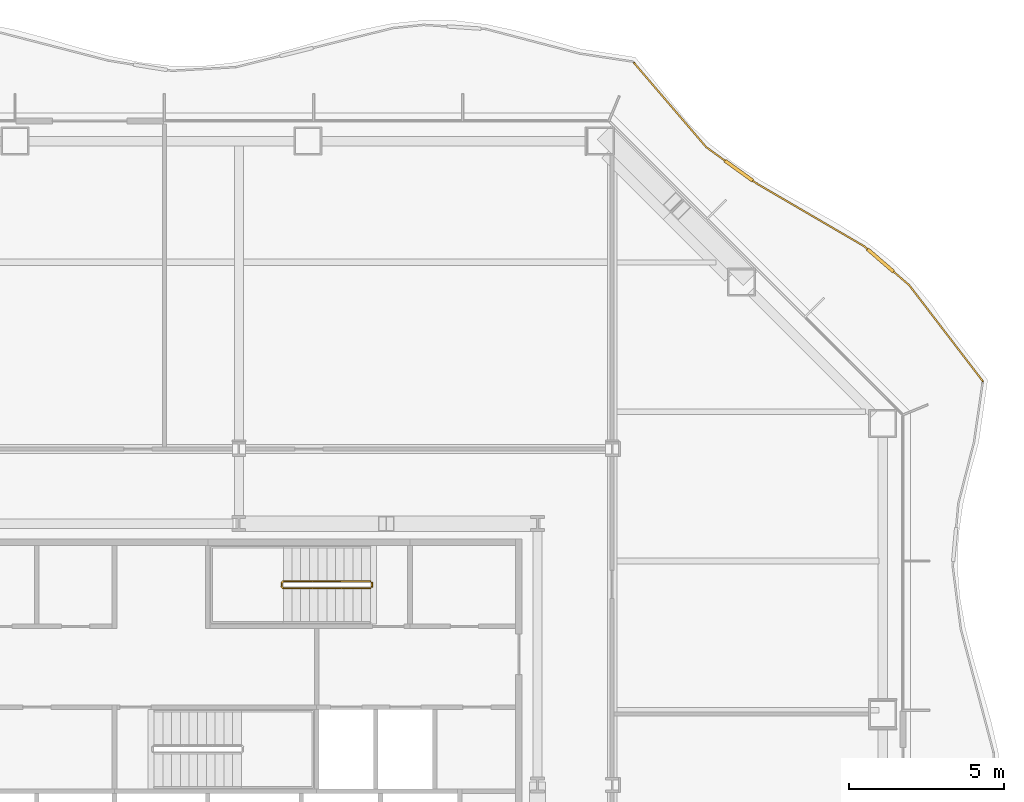
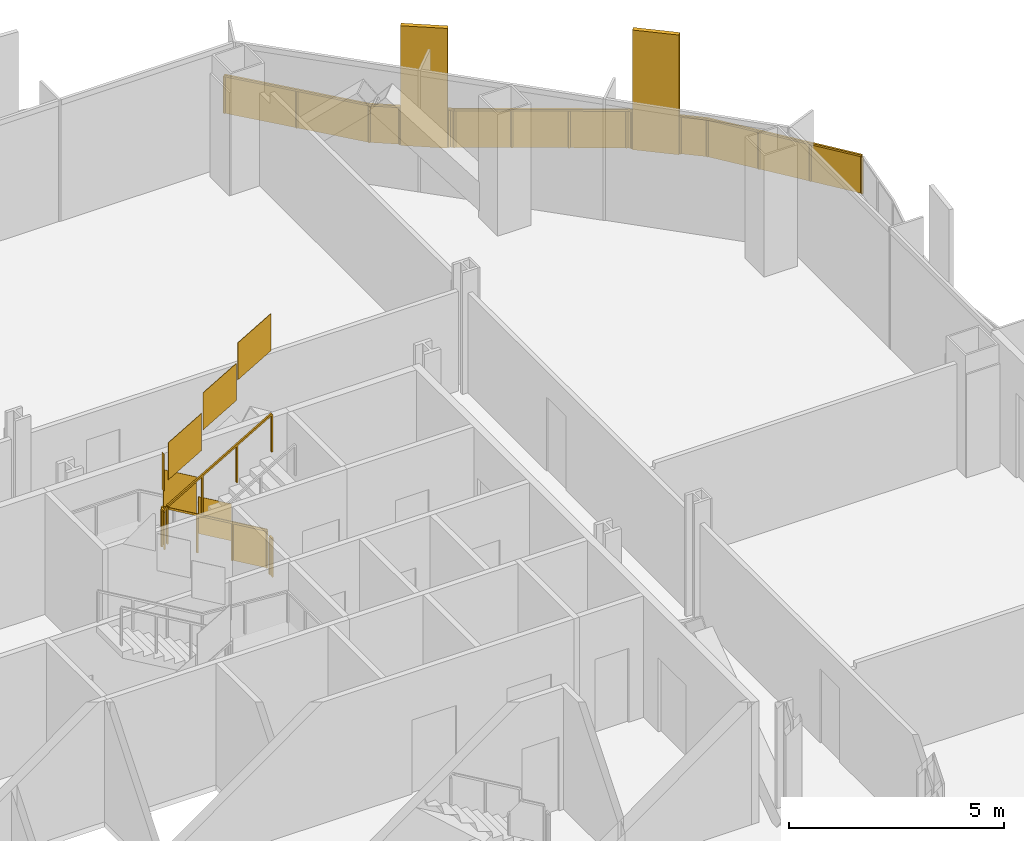
# One storey, part 18 of 18: 3 railings.
"""IFC4 building model written with IfcOpenShell, lengths in metres."""

from ifc_helpers import new_model, si_unit, direction, frame, origin, origin_2d, place, context, subcontext, project, spatial, polyline, rectangle, outline, extrude, material, type_object, element, save


model = new_model("IFC4")

# Units and contexts
model_context = context("Model", 3, precision=1e-05, world=origin(), true_north=direction((0.0, 1.0)))
body_context = subcontext(model_context, "Body", "Model", "MODEL_VIEW")
ifc_project = project(units=[si_unit("LENGTHUNIT", "METRE"), si_unit("AREAUNIT", "SQUARE_METRE"), si_unit("VOLUMEUNIT", "CUBIC_METRE"), si_unit("PLANEANGLEUNIT", "RADIAN"), si_unit("MASSUNIT", "GRAM", prefix="KILO")], contexts=[model_context])

# Site, building, storey
site_placement = place(None, origin())
site = spatial("IfcSite", under=ifc_project, at=site_placement, CompositionType="ELEMENT")
building_placement = place(site_placement, origin())
building = spatial("IfcBuilding", under=site, at=building_placement, Name="Cairn Pilgrim Tower", CompositionType="ELEMENT")
storey_placement = place(building_placement, frame((0.0, 0.0, 72.60009765625)))
storey = spatial("IfcBuildingStorey", under=building, at=storey_placement, Name="L16", CompositionType="ELEMENT", Elevation=72.60009765625)

# Railings
ifc_material_1 = material(Name="Bronze anodised aluminium rail, posts and fin screens with laminated glass infill", Category="aluminium")
railing_type_1 = type_object("IfcRailingType", Name="BALCONY GUARD WITH FIN SCREENS", PredefinedType="GUARDRAIL", material=ifc_material_1)
railing_1_placement = place(storey_placement, frame((31.11767578125, 15.384033203125, 0.0)))
element("IfcRailing", 1, at=railing_1_placement, inside=storey, type_object=railing_type_1, Name="Balcony guard BGF-4 with fin screens", PredefinedType="GUARDRAIL", context=body_context, shape_type="SweptSolid", body=[
    extrude(rectangle(XDim=0.050048828125, YDim=0.050048828125, at=origin_2d()), frame((0.0, 0.0, 1.0751953125), z_axis=(-0.608521134207, 0.793537667174, 0.0), x_axis=(-0.793537667174, -0.608521134207, 0.0)), (0.0, 0.0, 1.0), 3.89013671875),
    extrude(rectangle(XDim=1.10009765625, YDim=0.110107421875, at=origin_2d()), frame((-3.287109375, 3.88134765625, 0.0), z_axis=(0.0, 0.0, 1.0), x_axis=(-0.756840202902, 0.653599959663, 0.0)), (0.0, 0.0, 1.0), 3.39990234375),
    extrude(rectangle(XDim=0.050048828125, YDim=0.050048828125, at=origin_2d()), frame((-2.3671875, 3.0869140625, 1.0751953125), z_axis=(-0.756840202902, 0.653599959663, 0.0), x_axis=(-0.653599959663, -0.756840202902, 0.0)), (0.0, 0.0, 1.0), 0.66552734375),
    extrude(rectangle(XDim=0.050048828125, YDim=0.050048828125, at=origin_2d()), frame((-3.703369140625, 4.240966796875, 1.0751953125), z_axis=(-0.756840202902, 0.653599959663, 0.0), x_axis=(-0.653599959663, -0.756840202902, 0.0)), (0.0, 0.0, 1.0), 0.14990234375),
    extrude(rectangle(XDim=0.050048828125, YDim=0.050048828125, at=origin_2d()), frame((-3.81689453125, 4.3388671875, 1.0751953125), z_axis=(-0.863686011259, 0.504030231193, 0.0), x_axis=(-0.504030231193, -0.863686011259, 0.0)), (0.0, 0.0, 1.0), 4.00439453125),
    extrude(rectangle(XDim=1.10009765625, YDim=0.110107421875, at=origin_2d()), frame((-7.84326171875, 6.7666015625, 0.0), z_axis=(0.0, 0.0, 1.0), x_axis=(-0.811180439671, 0.58479594244, 0.0)), (0.0, 0.0, 1.0), 3.39990234375),
    extrude(rectangle(XDim=0.050048828125, YDim=0.050048828125, at=origin_2d()), frame((-7.275390625, 6.357177734375, 1.0751953125), z_axis=(-0.811180439671, 0.58479594244, 0.0), x_axis=(-0.58479594244, -0.811180439671, 0.0)), (0.0, 0.0, 1.0), 0.14990234375),
    extrude(rectangle(XDim=0.050048828125, YDim=0.050048828125, at=origin_2d()), frame((-8.289306640625, 7.088134765625, 1.0751953125), z_axis=(-0.811180439671, 0.58479594244, 0.0), x_axis=(-0.58479594244, -0.811180439671, 0.0)), (0.0, 0.0, 1.0), 0.73974609375),
    extrude(rectangle(XDim=0.050048828125, YDim=0.050048828125, at=origin_2d()), frame((-8.889404296875, 7.520751953125, 1.0751953125), z_axis=(-0.650966088441, 0.759106811786, 0.0), x_axis=(-0.759106811786, -0.650966088441, 0.0)), (0.0, 0.0, 1.0), 3.567138671875),
    extrude(rectangle(XDim=0.050048828125, YDim=0.050048828125, at=origin_2d()), origin(), (0.0, 0.0, 1.0), 1.050048828125),
    extrude(rectangle(XDim=0.050048828125, YDim=0.050048828125, at=origin_2d()), frame((-0.7890625, 1.029052734375, 0.0)), (0.0, 0.0, 1.0), 1.050048828125),
    extrude(rectangle(XDim=0.050048828125, YDim=0.050048828125, at=origin_2d()), frame((-1.578125, 2.057861328125, 0.0)), (0.0, 0.0, 1.0), 1.050048828125),
    extrude(rectangle(XDim=0.050048828125, YDim=0.050048828125, at=origin_2d()), frame((-2.3671875, 3.0869140625, 0.0)), (0.0, 0.0, 1.0), 1.050048828125),
    extrude(rectangle(XDim=0.050048828125, YDim=0.050048828125, at=origin_2d()), frame((-2.85205078125, 3.505615234375, 0.0)), (0.0, 0.0, 1.0), 1.050048828125),
    extrude(rectangle(XDim=0.050048828125, YDim=0.050048828125, at=origin_2d()), frame((-3.722412109375, 4.25732421875, 0.0)), (0.0, 0.0, 1.0), 1.050048828125),
    extrude(rectangle(XDim=0.050048828125, YDim=0.050048828125, at=origin_2d()), frame((-3.81689453125, 4.3388671875, 0.0)), (0.0, 0.0, 1.0), 1.050048828125),
    extrude(rectangle(XDim=0.050048828125, YDim=0.050048828125, at=origin_2d()), frame((-4.9697265625, 5.01171875, 0.0)), (0.0, 0.0, 1.0), 1.050048828125),
    extrude(rectangle(XDim=0.050048828125, YDim=0.050048828125, at=origin_2d()), frame((-6.12255859375, 5.684326171875, 0.0)), (0.0, 0.0, 1.0), 1.050048828125),
    extrude(rectangle(XDim=0.050048828125, YDim=0.050048828125, at=origin_2d()), frame((-7.275390625, 6.357177734375, 0.0)), (0.0, 0.0, 1.0), 1.050048828125),
    extrude(rectangle(XDim=0.050048828125, YDim=0.050048828125, at=origin_2d()), frame((-7.376708984375, 6.43017578125, 0.0)), (0.0, 0.0, 1.0), 1.050048828125),
    extrude(rectangle(XDim=0.050048828125, YDim=0.050048828125, at=origin_2d()), frame((-8.3095703125, 7.102783203125, 0.0)), (0.0, 0.0, 1.0), 1.050048828125),
    extrude(rectangle(XDim=0.050048828125, YDim=0.050048828125, at=origin_2d()), frame((-8.889404296875, 7.520751953125, 0.0)), (0.0, 0.0, 1.0), 1.050048828125),
    extrude(rectangle(XDim=0.050048828125, YDim=0.050048828125, at=origin_2d()), frame((-10.05029296875, 8.87451171875, 0.0)), (0.0, 0.0, 1.0), 1.050048828125),
    extrude(rectangle(XDim=0.050048828125, YDim=0.050048828125, at=origin_2d()), frame((-11.21142578125, 10.228515625, 0.0)), (0.0, 0.0, 1.0), 1.050048828125),
    extrude(outline(polyline([(0.02490234375, 0.0), (1.271728515625, 0.0), (1.271728515625, 1.050048828125), (0.02490234375, 1.050048828125), (0.02490234375, 0.0)])), frame((-0.004638671875, -0.003662109375, 0.0), z_axis=(0.793537667174, 0.608521134207, 0.0), x_axis=(-0.608521134207, 0.793537667174, 0.0)), (0.0, 0.0, 1.0), 0.011962890625),
    extrude(outline(polyline([(0.02490234375, 0.0), (1.271728515625, 0.0), (1.271728515625, 1.050048828125), (0.02490234375, 1.050048828125), (0.02490234375, 0.0)])), frame((-0.793701171875, 1.025390625, 0.0), z_axis=(0.793537667174, 0.608521134207, 0.0), x_axis=(-0.608521134207, 0.793537667174, 0.0)), (0.0, 0.0, 1.0), 0.011962890625),
    extrude(outline(polyline([(0.02490234375, 0.0), (1.271728515625, 0.0), (1.271728515625, 1.050048828125), (0.02490234375, 1.050048828125), (0.02490234375, 0.0)])), frame((-1.582763671875, 2.05419921875, 0.0), z_axis=(0.793537667174, 0.608521134207, 0.0), x_axis=(-0.608521134207, 0.793537667174, 0.0)), (0.0, 0.0, 1.0), 0.011962890625),
    extrude(outline(polyline([(0.02490234375, 0.0), (0.615478515625, 0.0), (0.615478515625, 1.050048828125), (0.02490234375, 1.050048828125), (0.02490234375, 0.0)])), frame((-2.37109375, 3.082275390625, 0.0), z_axis=(0.653599959663, 0.756840202902, 0.0), x_axis=(-0.756840202902, 0.653599959663, 0.0)), (0.0, 0.0, 1.0), 0.011962890625),
    extrude(outline(polyline([(0.02490234375, 0.0), (0.099853515625, 0.0), (0.099853515625, 1.050048828125), (0.02490234375, 1.050048828125), (0.02490234375, 0.0)])), frame((-3.726318359375, 4.252685546875, 0.0), z_axis=(0.653599959663, 0.756840202902, 0.0), x_axis=(-0.756840202902, 0.653599959663, 0.0)), (0.0, 0.0, 1.0), 0.011962890625),
    extrude(outline(polyline([(0.02490234375, 0.0), (1.309814453125, 0.0), (1.309814453125, 1.050048828125), (0.02490234375, 1.050048828125), (0.02490234375, 0.0)])), frame((-3.81982421875, 4.333740234375, 0.0), z_axis=(0.504030231193, 0.863686011259, 0.0), x_axis=(-0.863686011259, 0.504030231193, 0.0)), (0.0, 0.0, 1.0), 0.011962890625),
    extrude(outline(polyline([(0.02490234375, 0.0), (1.309814453125, 0.0), (1.309814453125, 1.050048828125), (0.02490234375, 1.050048828125), (0.02490234375, 0.0)])), frame((-4.97265625, 5.006591796875, 0.0), z_axis=(0.504030231193, 0.863686011259, 0.0), x_axis=(-0.863686011259, 0.504030231193, 0.0)), (0.0, 0.0, 1.0), 0.011962890625),
    extrude(outline(polyline([(0.02490234375, 0.0), (1.309814453125, 0.0), (1.309814453125, 1.050048828125), (0.02490234375, 1.050048828125), (0.02490234375, 0.0)])), frame((-6.12548828125, 5.67919921875, 0.0), z_axis=(0.504030231193, 0.863686011259, 0.0), x_axis=(-0.863686011259, 0.504030231193, 0.0)), (0.0, 0.0, 1.0), 0.011962890625),
    extrude(outline(polyline([(0.02490234375, 0.0), (0.099853515625, 0.0), (0.099853515625, 1.050048828125), (0.02490234375, 1.050048828125), (0.02490234375, 0.0)])), frame((-7.27880859375, 6.352294921875, 0.0), z_axis=(0.58479594244, 0.811180439671, 0.0), x_axis=(-0.811180439671, 0.58479594244, 0.0)), (0.0, 0.0, 1.0), 0.011962890625),
    extrude(outline(polyline([(0.02490234375, 0.0), (0.689697265625, 0.0), (0.689697265625, 1.050048828125), (0.02490234375, 1.050048828125), (0.02490234375, 0.0)])), frame((-8.31298828125, 7.097900390625, 0.0), z_axis=(0.58479594244, 0.811180439671, 0.0), x_axis=(-0.811180439671, 0.58479594244, 0.0)), (0.0, 0.0, 1.0), 0.011962890625),
    extrude(outline(polyline([(0.02490234375, 0.0), (1.758544921875, 0.0), (1.758544921875, 1.050048828125), (0.02490234375, 1.050048828125), (0.02490234375, 0.0)])), frame((-8.89404296875, 7.516845703125, 0.0), z_axis=(0.759106811786, 0.650966088441, 0.0), x_axis=(-0.650966088441, 0.759106811786, 0.0)), (0.0, 0.0, 1.0), 0.011962890625),
    extrude(outline(polyline([(0.02490234375, 0.0), (1.758544921875, 0.0), (1.758544921875, 1.050048828125), (0.02490234375, 1.050048828125), (0.02490234375, 0.0)])), frame((-10.054931640625, 8.870849609375, 0.0), z_axis=(0.759106811786, 0.650966088441, 0.0), x_axis=(-0.650966088441, 0.759106811786, 0.0)), (0.0, 0.0, 1.0), 0.011962890625),
])
ifc_material_2 = material(Name="Painted steel", Category="steel")
railing_type_2 = type_object("IfcRailingType", Name="STAIR GUARD 1100", PredefinedType="GUARDRAIL", material=ifc_material_2)
railing_2_placement = place(storey_placement, frame((11.425048828125, 8.949951171875, 0.16357421875)))
element("IfcRailing", 2, at=railing_2_placement, inside=storey, type_object=railing_type_2, Name="L16 ST-C stair guard 1", PredefinedType="GUARDRAIL", context=body_context, shape_type="SweptSolid", body=[
    extrude(rectangle(XDim=0.048095703125, YDim=0.048095703125, at=origin_2d()), frame((0.0, 0.0, 1.076171875), z_axis=(-0.863393664356, 0.0, 0.504530851732), x_axis=(0.0, -1.0, 0.0)), (0.0, 0.0, 1.0), 3.2431640625),
    extrude(rectangle(XDim=0.048095703125, YDim=0.048095703125, at=origin_2d()), frame((-2.800048828125, 0.0, 2.71240234375), z_axis=(-0.707106781187, -0.707106781187, 0.0), x_axis=(0.707106781187, -0.707106781187, 0.0)), (0.0, 0.0, 1.0), 0.07080078125),
    extrude(rectangle(XDim=0.048095703125, YDim=0.048095703125, at=origin_2d()), frame((-2.85009765625, -0.050048828125, 2.71240234375), z_axis=(0.0, -1.0, 0.0), x_axis=(1.0, 0.0, 0.0)), (0.0, 0.0, 1.0), 0.125),
    extrude(rectangle(XDim=0.048095703125, YDim=0.048095703125, at=origin_2d()), frame((-2.85009765625, -0.175048828125, 2.71240234375), z_axis=(0.280563532951, -0.279194930351, 0.91833234444), x_axis=(0.705375805398, 0.708833529934, 0.0)), (0.0, 0.0, 1.0), 0.178466796875),
    extrude(rectangle(XDim=0.048095703125, YDim=0.048095703125, at=origin_2d()), frame((-2.800048828125, -0.224853515625, 2.8759765625), z_axis=(0.863393664356, 0.0, 0.504530851732), x_axis=(0.0, 1.0, 0.0)), (0.0, 0.0, 1.0), 3.2431640625),
    extrude(rectangle(XDim=0.0419921875, YDim=0.0419921875, at=origin_2d()), origin(), (0.0, 0.0, 1.0), 1.052001953125),
    extrude(rectangle(XDim=0.0419921875, YDim=0.0419921875, at=origin_2d()), frame((-0.933349609375, 0.0, 0.54541015625)), (0.0, 0.0, 1.0), 1.052001953125),
    extrude(rectangle(XDim=0.0419921875, YDim=0.0419921875, at=origin_2d()), frame((-1.86669921875, 0.0, 1.0908203125)), (0.0, 0.0, 1.0), 1.052001953125),
    extrude(rectangle(XDim=0.0419921875, YDim=0.0419921875, at=origin_2d()), frame((-2.800048828125, 0.0, 1.63623046875)), (0.0, 0.0, 1.0), 1.052001953125),
    extrude(rectangle(XDim=0.0419921875, YDim=0.0419921875, at=origin_2d()), frame((-2.85009765625, -0.050048828125, 1.63623046875)), (0.0, 0.0, 1.0), 1.052001953125),
    extrude(rectangle(XDim=0.0419921875, YDim=0.0419921875, at=origin_2d()), frame((-2.85009765625, -0.175048828125, 1.63623046875)), (0.0, 0.0, 1.0), 1.052001953125),
    extrude(rectangle(XDim=0.0419921875, YDim=0.0419921875, at=origin_2d()), frame((-2.800048828125, -0.224853515625, 1.800048828125)), (0.0, 0.0, 1.0), 1.052001953125),
    extrude(rectangle(XDim=0.0419921875, YDim=0.0419921875, at=origin_2d()), frame((-1.86669921875, -0.224853515625, 2.345458984375)), (0.0, 0.0, 1.0), 1.052001953125),
    extrude(rectangle(XDim=0.0419921875, YDim=0.0419921875, at=origin_2d()), frame((-0.933349609375, -0.224853515625, 2.890869140625)), (0.0, 0.0, 1.0), 1.052001953125),
    extrude(rectangle(XDim=0.0419921875, YDim=0.0419921875, at=origin_2d()), frame((0.0, -0.224853515625, 3.436279296875)), (0.0, 0.0, 1.0), 1.052001953125),
    extrude(outline(polyline([(0.02099609375, 0.01220703125), (0.912353515625, 0.533203125), (0.912353515625, 1.585205078125), (0.02099609375, 1.064208984375), (0.02099609375, 0.01220703125)])), frame((0.0, -0.005859375, 0.0), z_axis=(0.0, 1.0, 0.0), x_axis=(-1.0, 0.0, 0.0)), (0.0, 0.0, 1.0), 0.011962890625),
    extrude(outline(polyline([(0.02099609375, 0.5576171875), (0.912353515625, 1.07861328125), (0.912353515625, 2.130615234375), (0.02099609375, 1.609619140625), (0.02099609375, 0.5576171875)])), frame((-0.933349609375, -0.005859375, 0.54541015625), z_axis=(0.0, 1.0, 0.0), x_axis=(-1.0, 0.0, 0.0)), (0.0, 0.0, 1.0), 0.011962890625),
    extrude(outline(polyline([(0.02099609375, 1.10302734375), (0.912353515625, 1.6240234375), (0.912353515625, 2.676025390625), (0.02099609375, 2.155029296875), (0.02099609375, 1.10302734375)])), frame((-1.86669921875, -0.005859375, 1.0908203125), z_axis=(0.0, 1.0, 0.0), x_axis=(-1.0, 0.0, 0.0)), (0.0, 0.0, 1.0), 0.011962890625),
    extrude(outline(polyline([(0.02099609375, 1.63623046875), (0.10400390625, 1.63623046875), (0.10400390625, 2.688232421875), (0.02099609375, 2.688232421875), (0.02099609375, 1.63623046875)])), frame((-2.84423828125, -0.050048828125, 1.63623046875), z_axis=(-1.0, 0.0, 0.0), x_axis=(0.0, -1.0, 0.0)), (0.0, 0.0, 1.0), 0.011962890625),
    extrude(outline(polyline([(0.02099609375, 1.812255859375), (0.912353515625, 2.333251953125), (0.912353515625, 3.38525390625), (0.02099609375, 2.8642578125), (0.02099609375, 1.812255859375)])), frame((-2.800048828125, -0.21875, 1.800048828125), z_axis=(0.0, -1.0, 0.0), x_axis=(1.0, 0.0, 0.0)), (0.0, 0.0, 1.0), 0.011962890625),
    extrude(outline(polyline([(0.02099609375, 2.357666015625), (0.912353515625, 2.878662109375), (0.912353515625, 3.9306640625), (0.02099609375, 3.40966796875), (0.02099609375, 2.357666015625)])), frame((-1.86669921875, -0.21875, 2.345458984375), z_axis=(0.0, -1.0, 0.0), x_axis=(1.0, 0.0, 0.0)), (0.0, 0.0, 1.0), 0.011962890625),
    extrude(outline(polyline([(0.02099609375, 2.903076171875), (0.912353515625, 3.424072265625), (0.912353515625, 4.47607421875), (0.02099609375, 3.955078125), (0.02099609375, 2.903076171875)])), frame((-0.933349609375, -0.21875, 2.890869140625), z_axis=(0.0, -1.0, 0.0), x_axis=(1.0, 0.0, 0.0)), (0.0, 0.0, 1.0), 0.011962890625),
])
railing_3_placement = place(storey_placement, frame((11.47509765625, 8.89990234375, 0.0)))
element("IfcRailing", 3, at=railing_3_placement, inside=storey, type_object=railing_type_2, Name="L16 ST-C stair guard 2", PredefinedType="GUARDRAIL", context=body_context, shape_type="SweptSolid", body=[
    extrude(rectangle(XDim=0.048095703125, YDim=0.048095703125, at=origin_2d()), frame((0.0, 0.0, 1.076171875), z_axis=(0.0, -1.0, 0.0), x_axis=(1.0, 0.0, 0.0)), (0.0, 0.0, 1.0), 0.125),
    extrude(rectangle(XDim=0.0419921875, YDim=0.0419921875, at=origin_2d()), origin(), (0.0, 0.0, 1.0), 1.052001953125),
    extrude(rectangle(XDim=0.0419921875, YDim=0.0419921875, at=origin_2d()), frame((0.0, -0.125, 0.0)), (0.0, 0.0, 1.0), 1.052001953125),
    extrude(outline(polyline([(0.02099609375, 0.0), (0.10400390625, 0.0), (0.10400390625, 1.052001953125), (0.02099609375, 1.052001953125), (0.02099609375, 0.0)])), frame((0.005859375, 0.0, 0.0), z_axis=(-1.0, 0.0, 0.0), x_axis=(0.0, -1.0, 0.0)), (0.0, 0.0, 1.0), 0.011962890625),
])

save(model, "model.ifc")
